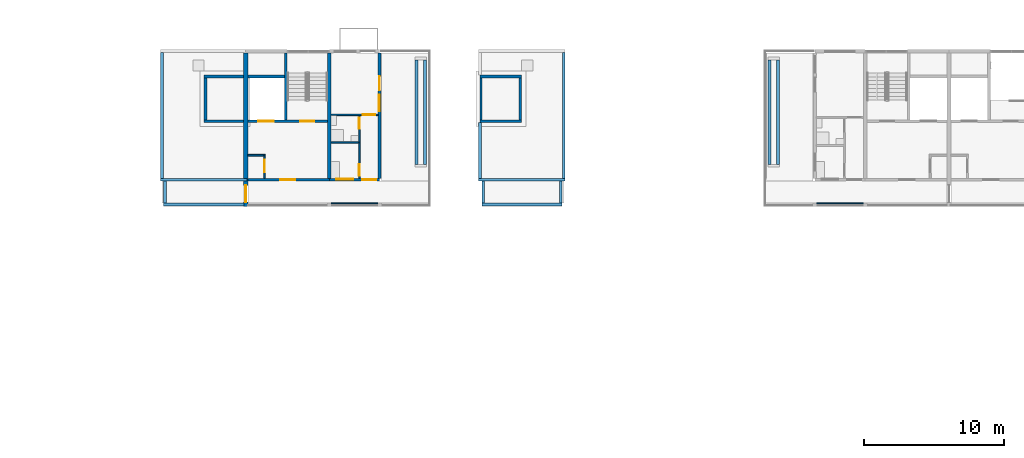
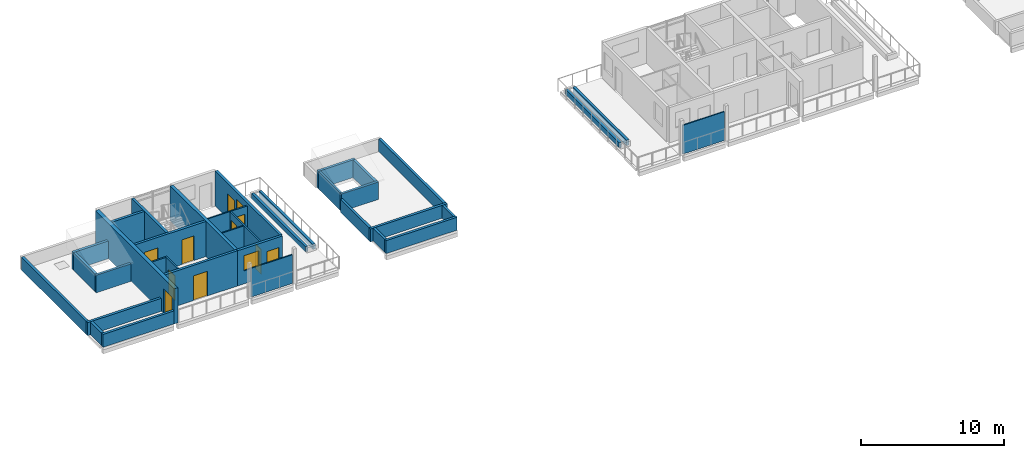
# One storey, part 41 of 87: 36 walls, 10 doors, 2 windows, 12 openings.
"""IFC4 building model written with IfcOpenShell, lengths in metres."""

from ifc_helpers import new_model, si_unit, direction, frame, frame_2d, origin, place, context, subcontext, project, spatial, rectangle, extrude, material, layer, layer_set, type_object, element, fill, save


model = new_model("IFC4")

# Units and contexts
model_context = context("Model", 3, precision=1e-05, world=origin(), true_north=direction((0.0, 1.0)))
body_context = subcontext(model_context, "Body", "Model", "MODEL_VIEW")
ifc_project = project(units=[si_unit("LENGTHUNIT", "METRE"), si_unit("AREAUNIT", "SQUARE_METRE"), si_unit("VOLUMEUNIT", "CUBIC_METRE"), si_unit("PLANEANGLEUNIT", "RADIAN"), si_unit("MASSUNIT", "GRAM", prefix="KILO")], contexts=[model_context])

# Site, building, storey
site_placement = place(None, origin())
site = spatial("IfcSite", under=ifc_project, at=site_placement, CompositionType="ELEMENT")
building_placement = place(site_placement, origin())
building = spatial("IfcBuilding", under=site, at=building_placement, Name="Ridgestep Commons", CompositionType="ELEMENT")
storey_placement = place(building_placement, frame((0.0, 0.0, 27.0)))
storey = spatial("IfcBuildingStorey", under=building, at=storey_placement, Name="L09", CompositionType="ELEMENT", Elevation=27.0)

# Wall
ifc_material_1 = material(Name="Concrete C30/37", Category="concrete")
ifc_layer_1 = layer(ifc_material_1, 0.25)
ifc_layer_set_1 = layer_set([ifc_layer_1], Name="Core cross wall 250")
wall_type_1 = type_object("IfcWallType", Name="Core cross wall 250", PredefinedType="SHEAR", material=ifc_layer_set_1)
wall_1_placement = place(storey_placement, frame((34.800048828125, 68.0, 0.0), z_axis=(0.0, 0.0, 1.0), x_axis=(0.0, 1.0, 0.0)))
element("IfcWall", 1, at=wall_1_placement, inside=storey, type_object=wall_type_1, Name="Cross wall B-09-0348", PredefinedType="SHEAR", context=body_context, shape_type="SweptSolid", body=[
    extrude(rectangle(XDim=9.0, YDim=0.25, at=frame_2d((4.5, 0.0))), origin(), (0.0, 0.0, 1.0), 3.0),
])

# Wall, opening, door
ifc_material_2 = material(Name="Concrete C30/37", Category="concrete")
ifc_layer_2 = layer(ifc_material_2, 0.199951171875)
ifc_layer_set_2 = layer_set([ifc_layer_2], Name="Core south wall 200")
wall_type_2 = type_object("IfcWallType", Name="Core south wall 200", PredefinedType="SHEAR", material=ifc_layer_set_2)
wall_2_placement = place(storey_placement, frame((28.949951171875, 67.89990234375, 0.0), z_axis=(0.0, 0.0, 1.0), x_axis=(1.0, 0.0, 0.0)))
wall_2 = element("IfcWall", 2, at=wall_2_placement, inside=storey, type_object=wall_type_2, Name="Core south wall B2C L09", PredefinedType="SHEAR", context=body_context, shape_type="SweptSolid", body=[
    extrude(rectangle(XDim=5.85009765625, YDim=0.199951171875, at=frame_2d((2.925048828125, 0.0))), origin(), (0.0, 0.0, 1.0), 3.0),
])
opening_1_placement = place(wall_2_placement, frame((2.3125, 0.0, 0.0)))
opening_1 = element("IfcOpeningElement", 3, at=opening_1_placement, cuts=wall_2, Name="Opening B2C/09/1", PredefinedType="OPENING", context=body_context, shape_type="SweptSolid", body=[
    extrude(rectangle(XDim=1.10009765625, YDim=2.10009765625, at=frame_2d((0.550048828125, 1.050048828125))), frame((0.0, 0.10986328125, 0.0), z_axis=(0.0, -1.0, 0.0), x_axis=(1.0, 0.0, 0.0)), (0.0, 0.0, 1.0), 0.219970703125),
])
ifc_material_3 = material(Name="Steel fire door", Category="steel")
door_type_1 = type_object("IfcDoorType", Name="Lobby door 1100 x 2100 FD60", OperationType="NOTDEFINED", PredefinedType="DOOR", material=ifc_material_3)
door_1_placement = place(opening_1_placement, origin())
door_1 = element("IfcDoor", 4, at=door_1_placement, inside=storey, type_object=door_type_1, Name="Lobby door B2C/09/1", OperationType="SINGLE_SWING_LEFT", OverallHeight=2.10009765625, OverallWidth=1.10009765625, PredefinedType="DOOR", context=body_context, shape_type="SweptSolid", body=[
    extrude(rectangle(XDim=1.10009765625, YDim=2.10009765625, at=frame_2d((0.550048828125, 1.050048828125))), frame((0.0, 0.02490234375, 0.0), z_axis=(0.0, -1.0, 0.0), x_axis=(1.0, 0.0, 0.0)), (0.0, 0.0, 1.0), 0.050048828125),
])
fill(opening_1, door_1)

ifc_material_4 = material(Name="Concrete C30/37", Category="concrete")
ifc_layer_3 = layer(ifc_material_4, 0.1201171875)
ifc_layer_set_3 = layer_set([ifc_layer_3], Name="Core wall 120")
wall_type_3 = type_object("IfcWallType", Name="Core wall 120", PredefinedType="SHEAR", material=ifc_layer_set_3)
wall_3_placement = place(storey_placement, frame((30.139892578125, 68.0, 0.0), z_axis=(0.0, 0.0, 1.0), x_axis=(0.0, 1.0, 0.0)))
wall_3 = element("IfcWall", 5, at=wall_3_placement, inside=storey, type_object=wall_type_3, Name="Core riser w wall B2C L09", PredefinedType="SHEAR", context=body_context, shape_type="SweptSolid", body=[
    extrude(rectangle(XDim=1.719970703125, YDim=0.1201171875, at=frame_2d((0.85986328125, 0.0))), origin(), (0.0, 0.0, 1.0), 3.0),
])
opening_2_placement = place(wall_3_placement, frame((0.449951171875, 0.0, 0.0)))
opening_2 = element("IfcOpeningElement", 6, at=opening_2_placement, cuts=wall_3, Name="Opening B2C/09/4", PredefinedType="OPENING", context=body_context, shape_type="SweptSolid", body=[
    extrude(rectangle(XDim=0.89990234375, YDim=2.10009765625, at=frame_2d((0.449951171875, 1.050048828125))), frame((0.0, 0.070068359375, 0.0), z_axis=(0.0, -1.0, 0.0), x_axis=(1.0, 0.0, 0.0)), (0.0, 0.0, 1.0), 0.14013671875),
])
ifc_material_5 = material(Name="Steel fire door", Category="steel")
door_type_2 = type_object("IfcDoorType", Name="Riser door 900 x 2100 FD60", OperationType="NOTDEFINED", PredefinedType="DOOR", material=ifc_material_5)
door_2_placement = place(opening_2_placement, origin())
door_2 = element("IfcDoor", 7, at=door_2_placement, inside=storey, type_object=door_type_2, Name="Riser door B2C/09/4", OperationType="SINGLE_SWING_RIGHT", OverallHeight=2.10009765625, OverallWidth=0.89990234375, PredefinedType="DOOR", context=body_context, shape_type="SweptSolid", body=[
    extrude(rectangle(XDim=0.89990234375, YDim=2.10009765625, at=frame_2d((0.449951171875, 1.050048828125))), frame((0.0, 0.02490234375, 0.0), z_axis=(0.0, -1.0, 0.0), x_axis=(1.0, 0.0, 0.0)), (0.0, 0.0, 1.0), 0.050048828125),
])
fill(opening_2, door_2)

# Wall
wall_4_placement = place(storey_placement, frame((28.949951171875, 69.659912109375, 0.0), z_axis=(0.0, 0.0, 1.0), x_axis=(1.0, 0.0, 0.0)))
element("IfcWall", 8, at=wall_4_placement, inside=storey, type_object=wall_type_3, Name="Core riser n wall B2C L09", PredefinedType="SHEAR", context=body_context, shape_type="SweptSolid", body=[
    extrude(rectangle(XDim=1.130126953125, YDim=0.1201171875, at=frame_2d((0.56494140625, 0.0))), origin(), (0.0, 0.0, 1.0), 3.0),
])

# Wall, openings, doors
ifc_material_6 = material(Name="Concrete C30/37", Category="concrete")
ifc_layer_4 = layer(ifc_material_6, 0.199951171875)
ifc_layer_set_4 = layer_set([ifc_layer_4], Name="Core wall 200")
wall_type_4 = type_object("IfcWallType", Name="Core wall 200", PredefinedType="SHEAR", material=ifc_layer_set_4)
wall_5_placement = place(storey_placement, frame((28.949951171875, 72.10009765625, 0.0), z_axis=(0.0, 0.0, 1.0), x_axis=(1.0, 0.0, 0.0)))
wall_5 = element("IfcWall", 9, at=wall_5_placement, inside=storey, type_object=wall_type_4, Name="Core lobby wall B2C L09", PredefinedType="SHEAR", context=body_context, shape_type="SweptSolid", body=[
    extrude(rectangle(XDim=5.72509765625, YDim=0.199951171875, at=frame_2d((2.862548828125, 0.0))), origin(), (0.0, 0.0, 1.0), 3.0),
])
opening_3_placement = place(wall_5_placement, frame((3.77490234375, 0.0, 0.0)))
opening_3 = element("IfcOpeningElement", 10, at=opening_3_placement, cuts=wall_5, Name="Opening B2C/09/2", PredefinedType="OPENING", context=body_context, shape_type="SweptSolid", body=[
    extrude(rectangle(XDim=1.0, YDim=2.10009765625, at=frame_2d((0.5, 1.050048828125))), frame((0.0, 0.10986328125, 0.0), z_axis=(0.0, -1.0, 0.0), x_axis=(1.0, 0.0, 0.0)), (0.0, 0.0, 1.0), 0.219970703125),
])
opening_4_placement = place(wall_5_placement, frame((0.762451171875, 0.0, 0.0)))
opening_4 = element("IfcOpeningElement", 11, at=opening_4_placement, cuts=wall_5, Name="Opening B2C/09/3", PredefinedType="OPENING", context=body_context, shape_type="SweptSolid", body=[
    extrude(rectangle(XDim=1.10009765625, YDim=2.10009765625, at=frame_2d((0.550048828125, 1.050048828125))), frame((0.0, 0.10986328125, 0.0), z_axis=(0.0, -1.0, 0.0), x_axis=(1.0, 0.0, 0.0)), (0.0, 0.0, 1.0), 0.219970703125),
])
ifc_material_7 = material(Name="Stainless steel", Category="steel")
door_type_3 = type_object("IfcDoorType", Name="Lift landing door 1100 x 2100 FD60", OperationType="DOUBLE_DOOR_SLIDING", PredefinedType="DOOR", material=ifc_material_7)
door_3_placement = place(opening_4_placement, origin())
door_3 = element("IfcDoor", 12, at=door_3_placement, inside=storey, type_object=door_type_3, Name="Landing door LD B2C L09", OperationType="DOUBLE_DOOR_SLIDING", OverallHeight=2.10009765625, OverallWidth=1.10009765625, PredefinedType="DOOR", context=body_context, shape_type="SweptSolid", body=[
    extrude(rectangle(XDim=1.10009765625, YDim=2.10009765625, at=frame_2d((0.550048828125, 1.050048828125))), frame((0.0, 0.02490234375, 0.0), z_axis=(0.0, -1.0, 0.0), x_axis=(1.0, 0.0, 0.0)), (0.0, 0.0, 1.0), 0.050048828125),
])
fill(opening_4, door_3)
ifc_material_8 = material(Name="Steel fire door", Category="steel")
door_type_4 = type_object("IfcDoorType", Name="Stair door 1000 x 2100 FD60", OperationType="NOTDEFINED", PredefinedType="DOOR", material=ifc_material_8)
door_4_placement = place(opening_3_placement, origin())
door_4 = element("IfcDoor", 13, at=door_4_placement, inside=storey, type_object=door_type_4, Name="Stair door B2C/09/2", OperationType="SINGLE_SWING_RIGHT", OverallHeight=2.10009765625, OverallWidth=1.0, PredefinedType="DOOR", context=body_context, shape_type="SweptSolid", body=[
    extrude(rectangle(XDim=1.0, YDim=2.10009765625, at=frame_2d((0.5, 1.050048828125))), frame((0.0, 0.02490234375, 0.0), z_axis=(0.0, -1.0, 0.0), x_axis=(1.0, 0.0, 0.0)), (0.0, 0.0, 1.0), 0.050048828125),
])
fill(opening_3, door_4)

# Walls
wall_6_placement = place(storey_placement, frame((31.675048828125, 72.199951171875, 0.0), z_axis=(0.0, 0.0, 1.0), x_axis=(0.0, 1.0, 0.0)))
element("IfcWall", 14, at=wall_6_placement, inside=storey, type_object=wall_type_4, Name="Core stair wall B2C L09", PredefinedType="SHEAR", context=body_context, shape_type="SweptSolid", body=[
    extrude(rectangle(XDim=4.800048828125, YDim=0.199951171875, at=frame_2d((2.39990234375, 0.0))), origin(), (0.0, 0.0, 1.0), 3.0),
])
wall_7_placement = place(storey_placement, frame((28.949951171875, 75.300048828125, 0.0), z_axis=(0.0, 0.0, 1.0), x_axis=(1.0, 0.0, 0.0)))
element("IfcWall", 15, at=wall_7_placement, inside=storey, type_object=wall_type_4, Name="Core duct wall B2C L09", PredefinedType="SHEAR", context=body_context, shape_type="SweptSolid", body=[
    extrude(rectangle(XDim=2.625, YDim=0.199951171875, at=frame_2d((1.3125, 0.0))), origin(), (0.0, 0.0, 1.0), 3.0),
])

# Wall, openings, window, door
ifc_material_9 = material(Name="Precast concrete C40/50", Category="concrete")
ifc_layer_5 = layer(ifc_material_9, 0.199951171875)
ifc_layer_set_5 = layer_set([ifc_layer_5], Name="Exposed cross wall 200")
wall_type_5 = type_object("IfcWallType", Name="Exposed cross wall 200", PredefinedType="SHEAR", material=ifc_layer_set_5)
wall_8_placement = place(storey_placement, frame((38.39990234375, 68.0, 0.0), z_axis=(0.0, 0.0, 1.0), x_axis=(0.0, 1.0, 0.0)))
wall_8 = element("IfcWall", 16, at=wall_8_placement, inside=storey, type_object=wall_type_5, Name="Cross wall B-09-0384", PredefinedType="SHEAR", context=body_context, shape_type="SweptSolid", body=[
    extrude(rectangle(XDim=9.0, YDim=0.199951171875, at=frame_2d((4.5, 0.0))), origin(), (0.0, 0.0, 1.0), 3.0),
])
opening_5_placement = place(wall_8_placement, frame((4.8076171875, 0.0, 0.89990234375)))
opening_5 = element("IfcOpeningElement", 17, at=opening_5_placement, cuts=wall_8, Name="Opening W10", PredefinedType="OPENING", context=body_context, shape_type="SweptSolid", body=[
    extrude(rectangle(XDim=1.199951171875, YDim=1.5, at=frame_2d((0.60009765625, 0.75))), frame((0.0, 0.10986328125, 0.0), z_axis=(0.0, -1.0, 0.0), x_axis=(1.0, 0.0, 0.0)), (0.0, 0.0, 1.0), 0.219970703125),
])
opening_6_placement = place(wall_8_placement, frame((6.304931640625, 0.0, 0.0)))
opening_6 = element("IfcOpeningElement", 18, at=opening_6_placement, cuts=wall_8, Name="Opening B2-09a/5", PredefinedType="OPENING", context=body_context, shape_type="SweptSolid", body=[
    extrude(rectangle(XDim=1.0, YDim=2.10009765625, at=frame_2d((0.5, 1.050048828125))), frame((0.0, 0.10986328125, 0.0), z_axis=(0.0, -1.0, 0.0), x_axis=(1.0, 0.0, 0.0)), (0.0, 0.0, 1.0), 0.219970703125),
])
ifc_material_10 = material(Name="Aluminium 6063-T6 and glass", Category="aluminium")
window_type_1 = type_object("IfcWindowType", Name="Flat window 1200 x 1500", PartitioningType="SINGLE_PANEL", PredefinedType="WINDOW", material=ifc_material_10)
window_1_placement = place(opening_5_placement, origin())
window_1 = element("IfcWindow", 19, at=window_1_placement, inside=storey, type_object=window_type_1, Name="Window B2-09a 3", OverallHeight=1.5, OverallWidth=1.199951171875, PartitioningType="SINGLE_PANEL", PredefinedType="WINDOW", context=body_context, shape_type="SweptSolid", body=[
    extrude(rectangle(XDim=1.199951171875, YDim=1.5, at=frame_2d((0.60009765625, 0.75))), frame((0.0, 0.06005859375, 0.0), z_axis=(0.0, -1.0, 0.0), x_axis=(1.0, 0.0, 0.0)), (0.0, 0.0, 1.0), 0.06005859375),
])
fill(opening_5, window_1)
ifc_material_11 = material(Name="Aluminium and glass", Category="aluminium")
door_type_5 = type_object("IfcDoorType", Name="Terrace door 1000 x 2100", OperationType="NOTDEFINED", PredefinedType="DOOR", material=ifc_material_11)
door_5_placement = place(opening_6_placement, origin())
door_5 = element("IfcDoor", 20, at=door_5_placement, inside=storey, type_object=door_type_5, Name="Terrace door B2-09a/5", OperationType="SINGLE_SWING_LEFT", OverallHeight=2.10009765625, OverallWidth=1.0, PredefinedType="DOOR", context=body_context, shape_type="SweptSolid", body=[
    extrude(rectangle(XDim=1.0, YDim=2.10009765625, at=frame_2d((0.5, 1.050048828125))), frame((0.0, 0.02490234375, 0.0), z_axis=(0.0, -1.0, 0.0), x_axis=(1.0, 0.0, 0.0)), (0.0, 0.0, 1.0), 0.050048828125),
])
fill(opening_6, door_5)

# Wall, opening, door
ifc_material_12 = material(Name="Precast concrete C40/50", Category="concrete")
ifc_layer_6 = layer(ifc_material_12, 0.300048828125)
ifc_layer_set_6 = layer_set([ifc_layer_6], Name="Exposed division wall 300")
wall_type_6 = type_object("IfcWallType", Name="Exposed division wall 300", PredefinedType="SHEAR", material=ifc_layer_set_6)
wall_9_placement = place(storey_placement, frame((28.800048828125, 66.0, 0.0), z_axis=(0.0, 0.0, 1.0), x_axis=(0.0, 1.0, 0.0)))
wall_9 = element("IfcWall", 21, at=wall_9_placement, inside=storey, type_object=wall_type_6, Name="Cross wall B-09-0288", PredefinedType="SHEAR", context=body_context, shape_type="SweptSolid", body=[
    extrude(rectangle(XDim=11.0, YDim=0.300048828125, at=frame_2d((5.5, 0.0))), origin(), (0.0, 0.0, 1.0), 3.0),
])
opening_7_placement = place(wall_9_placement, frame((0.300048828125, 0.0, 0.0)))
opening_7 = element("IfcOpeningElement", 22, at=opening_7_placement, cuts=wall_9, Name="Opening B/09/G0288", PredefinedType="OPENING", context=body_context, shape_type="SweptSolid", body=[
    extrude(rectangle(XDim=1.199951171875, YDim=2.10009765625, at=frame_2d((0.60009765625, 1.050048828125))), frame((0.0, 0.159912109375, 0.0), z_axis=(0.0, -1.0, 0.0), x_axis=(1.0, 0.0, 0.0)), (0.0, 0.0, 1.0), 0.320068359375),
])
ifc_material_13 = material(Name="Steel fire door", Category="steel")
door_type_6 = type_object("IfcDoorType", Name="Division fire door 1200 x 2100 EI 240", OperationType="DOUBLE_DOOR_SINGLE_SWING", PredefinedType="DOOR", material=ifc_material_13)
door_6_placement = place(opening_7_placement, origin())
door_6 = element("IfcDoor", 23, at=door_6_placement, inside=storey, type_object=door_type_6, Name="Division fire door B/09/G0288", OperationType="DOUBLE_DOOR_SINGLE_SWING", OverallHeight=2.10009765625, OverallWidth=1.199951171875, PredefinedType="DOOR", context=body_context, shape_type="SweptSolid", body=[
    extrude(rectangle(XDim=1.199951171875, YDim=2.10009765625, at=frame_2d((0.60009765625, 1.050048828125))), frame((0.0, 0.02490234375, 0.0), z_axis=(0.0, -1.0, 0.0), x_axis=(1.0, 0.0, 0.0)), (0.0, 0.0, 1.0), 0.050048828125),
])
fill(opening_7, door_6)

# Walls
ifc_material_14 = material(Name="Concrete C30/37", Category="concrete")
ifc_layer_7 = layer(ifc_material_14, 0.14990234375)
ifc_layer_set_7 = layer_set([ifc_layer_7], Name="Lift overrun wall 150")
wall_type_7 = type_object("IfcWallType", Name="Lift overrun wall 150", PredefinedType="SHEAR", material=ifc_layer_set_7)
wall_10_placement = place(storey_placement, frame((45.675048828125, 72.199951171875, 0.0), z_axis=(0.0, 0.0, 1.0), x_axis=(0.0, 1.0, 0.0)))
element("IfcWall", 24, at=wall_10_placement, inside=storey, type_object=wall_type_7, Name="Lift overrun wall B3C", PredefinedType="SHEAR", context=body_context, shape_type="SweptSolid", body=[
    extrude(rectangle(XDim=3.0, YDim=0.14990234375, at=frame_2d((1.5, 0.0))), origin(), (0.0, 0.0, 1.0), 1.5),
])
ifc_material_15 = material(Name="Concrete C30/37", Category="concrete")
ifc_layer_8 = layer(ifc_material_15, 0.199951171875)
ifc_layer_set_8 = layer_set([ifc_layer_8], Name="Lift overrun wall 200")
wall_type_8 = type_object("IfcWallType", Name="Lift overrun wall 200", PredefinedType="SHEAR", material=ifc_layer_set_8)
for number, where, z_axis, x_axis, name in (
    (25, (25.824951171875, 72.10009765625, 0.0), (0.0, 0.0, 1.0), (1.0, 0.0, 0.0), "Lift overrun wall B1C"),
    (26, (25.824951171875, 75.300048828125, 0.0), (0.0, 0.0, 1.0), (1.0, 0.0, 0.0), "Lift overrun wall B1C"),
):
    element("IfcWall", number, at=place(storey_placement, frame(where, z_axis=z_axis, x_axis=x_axis)), inside=storey, type_object=wall_type_8, Name=name, PredefinedType="SHEAR", context=body_context, shape_type="SweptSolid", body=[
        extrude(rectangle(XDim=2.824951171875, YDim=0.199951171875, at=frame_2d((1.41259765625, 0.0))), origin(), (0.0, 0.0, 1.0), 1.5),
    ])
wall_11_placement = place(storey_placement, frame((25.925048828125, 72.199951171875, 0.0), z_axis=(0.0, 0.0, 1.0), x_axis=(0.0, 1.0, 0.0)))
element("IfcWall", 27, at=wall_11_placement, inside=storey, type_object=wall_type_8, Name="Lift overrun wall B1C", PredefinedType="SHEAR", context=body_context, shape_type="SweptSolid", body=[
    extrude(rectangle(XDim=3.0, YDim=0.199951171875, at=frame_2d((1.5, 0.0))), origin(), (0.0, 0.0, 1.0), 1.5),
])
for number, where, z_axis, x_axis, name in (
    (28, (45.60009765625, 72.10009765625, 0.0), (0.0, 0.0, 1.0), (1.0, 0.0, 0.0), "Lift overrun wall B3C"),
    (29, (45.60009765625, 75.300048828125, 0.0), (0.0, 0.0, 1.0), (1.0, 0.0, 0.0), "Lift overrun wall B3C"),
):
    element("IfcWall", number, at=place(storey_placement, frame(where, z_axis=z_axis, x_axis=x_axis)), inside=storey, type_object=wall_type_8, Name=name, PredefinedType="SHEAR", context=body_context, shape_type="SweptSolid", body=[
        extrude(rectangle(XDim=2.974853515625, YDim=0.199951171875, at=frame_2d((1.4873046875, 0.0))), origin(), (0.0, 0.0, 1.0), 1.5),
    ])
wall_12_placement = place(storey_placement, frame((48.47509765625, 72.199951171875, 0.0), z_axis=(0.0, 0.0, 1.0), x_axis=(0.0, 1.0, 0.0)))
element("IfcWall", 30, at=wall_12_placement, inside=storey, type_object=wall_type_8, Name="Lift overrun wall B3C", PredefinedType="SHEAR", context=body_context, shape_type="SweptSolid", body=[
    extrude(rectangle(XDim=3.0, YDim=0.199951171875, at=frame_2d((1.5, 0.0))), origin(), (0.0, 0.0, 1.0), 1.5),
])
ifc_material_16 = material(Name="Precast concrete C40/50", Category="concrete")
ifc_layer_9 = layer(ifc_material_16, 0.199951171875)
ifc_layer_set_9 = layer_set([ifc_layer_9], Name="Parapet wall 200")
wall_type_9 = type_object("IfcWallType", Name="Parapet wall 200", PredefinedType="PARAPET", material=ifc_layer_set_9)
wall_13_placement = place(storey_placement, frame((22.699951171875, 67.89990234375, 0.0), z_axis=(0.0, 0.0, 1.0), x_axis=(1.0, 0.0, 0.0)))
element("IfcWall", 31, at=wall_13_placement, inside=storey, type_object=wall_type_9, Name="Parapet B1C south", PredefinedType="PARAPET", context=body_context, shape_type="SweptSolid", body=[
    extrude(rectangle(XDim=6.199951171875, YDim=0.199951171875, at=frame_2d((3.10009765625, 0.0))), origin(), (0.0, 0.0, 1.0), 1.10009765625),
])
wall_14_placement = place(storey_placement, frame((22.800048828125, 68.0, 0.0), z_axis=(0.0, 0.0, 1.0), x_axis=(0.0, 1.0, 0.0)))
element("IfcWall", 32, at=wall_14_placement, inside=storey, type_object=wall_type_9, Name="Parapet B1C west", PredefinedType="PARAPET", context=body_context, shape_type="SweptSolid", body=[
    extrude(rectangle(XDim=9.02490234375, YDim=0.199951171875, at=frame_2d((4.512451171875, 0.0))), origin(), (0.0, 0.0, 1.0), 1.10009765625),
])
wall_15_placement = place(storey_placement, frame((22.925048828125, 66.125, 0.0), z_axis=(0.0, 0.0, 1.0), x_axis=(1.0, 0.0, 0.0)))
element("IfcWall", 33, at=wall_15_placement, inside=storey, type_object=wall_type_9, Name="Parapet B1C gallery south", PredefinedType="PARAPET", context=body_context, shape_type="SweptSolid", body=[
    extrude(rectangle(XDim=5.75, YDim=0.199951171875, at=frame_2d((2.875, 0.0))), origin(), (0.0, 0.0, 1.0), 1.10009765625),
])
wall_16_placement = place(storey_placement, frame((23.02490234375, 66.22509765625, 0.0), z_axis=(0.0, 0.0, 1.0), x_axis=(0.0, 1.0, 0.0)))
element("IfcWall", 34, at=wall_16_placement, inside=storey, type_object=wall_type_9, Name="Parapet B1C gallery west", PredefinedType="PARAPET", context=body_context, shape_type="SweptSolid", body=[
    extrude(rectangle(XDim=1.574951171875, YDim=0.199951171875, at=frame_2d((0.78759765625, 0.0))), origin(), (0.0, 0.0, 1.0), 1.10009765625),
])
wall_17_placement = place(storey_placement, frame((45.5, 67.89990234375, 0.0), z_axis=(0.0, 0.0, 1.0), x_axis=(1.0, 0.0, 0.0)))
element("IfcWall", 35, at=wall_17_placement, inside=storey, type_object=wall_type_9, Name="Parapet B3C south", PredefinedType="PARAPET", context=body_context, shape_type="SweptSolid", body=[
    extrude(rectangle(XDim=6.199951171875, YDim=0.199951171875, at=frame_2d((3.10009765625, 0.0))), origin(), (0.0, 0.0, 1.0), 1.10009765625),
])
wall_18_placement = place(storey_placement, frame((45.60009765625, 68.0, 0.0), z_axis=(0.0, 0.0, 1.0), x_axis=(0.0, 1.0, 0.0)))
element("IfcWall", 36, at=wall_18_placement, inside=storey, type_object=wall_type_9, Name="Parapet B3C west", PredefinedType="PARAPET", context=body_context, shape_type="SweptSolid", body=[
    extrude(rectangle(XDim=4.0, YDim=0.199951171875, at=frame_2d((2.0, 0.0))), origin(), (0.0, 0.0, 1.0), 1.10009765625),
])
wall_19_placement = place(storey_placement, frame((51.60009765625, 68.0, 0.0), z_axis=(0.0, 0.0, 1.0), x_axis=(0.0, 1.0, 0.0)))
element("IfcWall", 37, at=wall_19_placement, inside=storey, type_object=wall_type_9, Name="Parapet B3C east", PredefinedType="PARAPET", context=body_context, shape_type="SweptSolid", body=[
    extrude(rectangle(XDim=9.02490234375, YDim=0.199951171875, at=frame_2d((4.512451171875, 0.0))), origin(), (0.0, 0.0, 1.0), 1.10009765625),
])
wall_20_placement = place(storey_placement, frame((45.72509765625, 66.125, 0.0), z_axis=(0.0, 0.0, 1.0), x_axis=(1.0, 0.0, 0.0)))
element("IfcWall", 38, at=wall_20_placement, inside=storey, type_object=wall_type_9, Name="Parapet B3C gallery south", PredefinedType="PARAPET", context=body_context, shape_type="SweptSolid", body=[
    extrude(rectangle(XDim=5.75, YDim=0.199951171875, at=frame_2d((2.875, 0.0))), origin(), (0.0, 0.0, 1.0), 1.10009765625),
])
for number, where, z_axis, x_axis, name in (
    (39, (45.824951171875, 66.22509765625, 0.0), (0.0, 0.0, 1.0), (0.0, 1.0, 0.0), "Parapet B3C gallery west"),
    (40, (51.375, 66.22509765625, 0.0), (0.0, 0.0, 1.0), (0.0, 1.0, 0.0), "Parapet B3C gallery east"),
):
    element("IfcWall", number, at=place(storey_placement, frame(where, z_axis=z_axis, x_axis=x_axis)), inside=storey, type_object=wall_type_9, Name=name, PredefinedType="PARAPET", context=body_context, shape_type="SweptSolid", body=[
        extrude(rectangle(XDim=1.574951171875, YDim=0.199951171875, at=frame_2d((0.78759765625, 0.0))), origin(), (0.0, 0.0, 1.0), 1.10009765625),
    ])
ifc_material_17 = material(Name="Common brick 110 mm", Category="masonry")
ifc_layer_10 = layer(ifc_material_17, 0.110107421875)
ifc_layer_set_10 = layer_set([ifc_layer_10], Name="Partition 110")
wall_type_10 = type_object("IfcWallType", Name="Partition 110", PredefinedType="PARTITIONING", material=ifc_layer_set_10)
wall_21_placement = place(storey_placement, frame((34.925048828125, 70.554931640625, 0.0), z_axis=(0.0, 0.0, 1.0), x_axis=(1.0, 0.0, 0.0)))
element("IfcWall", 41, at=wall_21_placement, inside=storey, type_object=wall_type_10, Name="Partition B2-09a", PredefinedType="PARTITIONING", context=body_context, shape_type="SweptSolid", body=[
    extrude(rectangle(XDim=1.96484375, YDim=0.110107421875, at=frame_2d((0.982421875, 0.0))), origin(), (0.0, 0.0, 1.0), 2.75),
])

# Wall, openings, doors
wall_22_placement = place(storey_placement, frame((36.945068359375, 68.0, 0.0), z_axis=(0.0, 0.0, 1.0), x_axis=(0.0, 1.0, 0.0)))
wall_22 = element("IfcWall", 42, at=wall_22_placement, inside=storey, type_object=wall_type_10, Name="Partition B2-09a", PredefinedType="PARTITIONING", context=body_context, shape_type="SweptSolid", body=[
    extrude(rectangle(XDim=4.5, YDim=0.110107421875, at=frame_2d((2.25, 0.0))), origin(), (0.0, 0.0, 1.0), 2.75),
])
opening_8_placement = place(wall_22_placement, frame((0.199951171875, 0.0, 0.0)))
opening_8 = element("IfcOpeningElement", 43, at=opening_8_placement, cuts=wall_22, Name="Opening B2-09a/2", PredefinedType="OPENING", context=body_context, shape_type="SweptSolid", body=[
    extrude(rectangle(XDim=0.800048828125, YDim=2.10009765625, at=frame_2d((0.39990234375, 1.050048828125))), frame((0.0, 0.06494140625, 0.0), z_axis=(0.0, -1.0, 0.0), x_axis=(1.0, 0.0, 0.0)), (0.0, 0.0, 1.0), 0.130126953125),
])
opening_9_placement = place(wall_22_placement, frame((3.550048828125, 0.0, 0.0)))
opening_9 = element("IfcOpeningElement", 44, at=opening_9_placement, cuts=wall_22, Name="Opening B2-09a/3", PredefinedType="OPENING", context=body_context, shape_type="SweptSolid", body=[
    extrude(rectangle(XDim=0.800048828125, YDim=2.10009765625, at=frame_2d((0.39990234375, 1.050048828125))), frame((0.0, 0.06494140625, 0.0), z_axis=(0.0, -1.0, 0.0), x_axis=(1.0, 0.0, 0.0)), (0.0, 0.0, 1.0), 0.130126953125),
])
ifc_material_18 = material(Name="Timber door leaf", Category="wood")
door_type_7 = type_object("IfcDoorType", Name="Internal door 800 x 2100", OperationType="NOTDEFINED", PredefinedType="DOOR", material=ifc_material_18)
door_7_placement = place(opening_8_placement, origin())
door_7 = element("IfcDoor", 45, at=door_7_placement, inside=storey, type_object=door_type_7, Name="Internal door B2-09a/2", OperationType="SINGLE_SWING_LEFT", OverallHeight=2.10009765625, OverallWidth=0.800048828125, PredefinedType="DOOR", context=body_context, shape_type="SweptSolid", body=[
    extrude(rectangle(XDim=0.800048828125, YDim=2.10009765625, at=frame_2d((0.39990234375, 1.050048828125))), frame((0.0, 0.02490234375, 0.0), z_axis=(0.0, -1.0, 0.0), x_axis=(1.0, 0.0, 0.0)), (0.0, 0.0, 1.0), 0.050048828125),
])
fill(opening_8, door_7)
door_8_placement = place(opening_9_placement, origin())
door_8 = element("IfcDoor", 46, at=door_8_placement, inside=storey, type_object=door_type_7, Name="Internal door B2-09a/3", OperationType="SINGLE_SWING_RIGHT", OverallHeight=2.10009765625, OverallWidth=0.800048828125, PredefinedType="DOOR", context=body_context, shape_type="SweptSolid", body=[
    extrude(rectangle(XDim=0.800048828125, YDim=2.10009765625, at=frame_2d((0.39990234375, 1.050048828125))), frame((0.0, 0.02490234375, 0.0), z_axis=(0.0, -1.0, 0.0), x_axis=(1.0, 0.0, 0.0)), (0.0, 0.0, 1.0), 0.050048828125),
])
fill(opening_9, door_8)

# Wall, opening, door
wall_23_placement = place(storey_placement, frame((34.925048828125, 72.554931640625, 0.0), z_axis=(0.0, 0.0, 1.0), x_axis=(1.0, 0.0, 0.0)))
wall_23 = element("IfcWall", 47, at=wall_23_placement, inside=storey, type_object=wall_type_10, Name="Partition B2-09a", PredefinedType="PARTITIONING", context=body_context, shape_type="SweptSolid", body=[
    extrude(rectangle(XDim=3.375, YDim=0.110107421875, at=frame_2d((1.6875, 0.0))), origin(), (0.0, 0.0, 1.0), 2.75),
])
opening_10_placement = place(wall_23_placement, frame((2.27490234375, 0.0, 0.0)))
opening_10 = element("IfcOpeningElement", 48, at=opening_10_placement, cuts=wall_23, Name="Opening B2-09a/4", PredefinedType="OPENING", context=body_context, shape_type="SweptSolid", body=[
    extrude(rectangle(XDim=0.89990234375, YDim=2.10009765625, at=frame_2d((0.449951171875, 1.050048828125))), frame((0.0, 0.06494140625, 0.0), z_axis=(0.0, -1.0, 0.0), x_axis=(1.0, 0.0, 0.0)), (0.0, 0.0, 1.0), 0.130126953125),
])
ifc_material_19 = material(Name="Timber door leaf", Category="wood")
door_type_8 = type_object("IfcDoorType", Name="Internal door 900 x 2100", OperationType="NOTDEFINED", PredefinedType="DOOR", material=ifc_material_19)
door_9_placement = place(opening_10_placement, origin())
door_9 = element("IfcDoor", 49, at=door_9_placement, inside=storey, type_object=door_type_8, Name="Internal door B2-09a/4", OperationType="SINGLE_SWING_LEFT", OverallHeight=2.10009765625, OverallWidth=0.89990234375, PredefinedType="DOOR", context=body_context, shape_type="SweptSolid", body=[
    extrude(rectangle(XDim=0.89990234375, YDim=2.10009765625, at=frame_2d((0.449951171875, 1.050048828125))), frame((0.0, 0.02490234375, 0.0), z_axis=(0.0, -1.0, 0.0), x_axis=(1.0, 0.0, 0.0)), (0.0, 0.0, 1.0), 0.050048828125),
])
fill(opening_10, door_9)

# Walls
ifc_material_20 = material(Name="Precast concrete C30/37", Category="concrete")
ifc_layer_11 = layer(ifc_material_20, 0.10009765625)
ifc_layer_set_11 = layer_set([ifc_layer_11], Name="Perforated gallery screen 3350 x 2450 x 100")
wall_type_11 = type_object("IfcWallType", Name="Perforated gallery screen 3350 x 2450 x 100", PredefinedType="SOLIDWALL", material=ifc_layer_set_11)
for number, where, z_axis, x_axis, name in (
    (50, (34.925048828125, 66.199951171875, 0.0), (0.0, 0.0, 1.0), (1.0, 0.0, 0.0), "Gallery screen B2T3 09"),
    (51, (69.72509765625, 66.199951171875, 0.0), (0.0, 0.0, 1.0), (1.0, 0.0, 0.0), "Gallery screen B4T3 09"),
):
    element("IfcWall", number, at=place(storey_placement, frame(where, z_axis=z_axis, x_axis=x_axis)), inside=storey, type_object=wall_type_11, Name=name, PredefinedType="SOLIDWALL", context=body_context, shape_type="SweptSolid", body=[
        extrude(rectangle(XDim=3.349853515625, YDim=0.10009765625, at=frame_2d((1.6748046875, 0.0))), origin(), (0.0, 0.0, 1.0), 2.449951171875),
    ])
ifc_material_21 = material(Name="Facing brick", Category="masonry")
ifc_layer_12 = layer(ifc_material_21, 0.199951171875)
ifc_layer_set_12 = layer_set([ifc_layer_12], Name="Planter wall 200")
wall_type_12 = type_object("IfcWallType", Name="Planter wall 200", PredefinedType="SOLIDWALL", material=ifc_layer_set_12)
for number, where, z_axis, x_axis, name in (
    (52, (41.050048828125, 69.0, 0.010009765625), (0.0, 0.0, 1.0), (0.0, 1.0, 0.0), "Planter wall B2R2W"),
    (53, (41.64990234375, 69.0, 0.010009765625), (0.0, 0.0, 1.0), (0.0, 1.0, 0.0), "Planter wall B2R2E"),
    (54, (66.35009765625, 69.0, 0.010009765625), (0.0, 0.0, 1.0), (0.0, 1.0, 0.0), "Planter wall B4R2W"),
    (55, (66.949951171875, 69.0, 0.010009765625), (0.0, 0.0, 1.0), (0.0, 1.0, 0.0), "Planter wall B4R2E"),
):
    element("IfcWall", number, at=place(storey_placement, frame(where, z_axis=z_axis, x_axis=x_axis)), inside=storey, type_object=wall_type_12, Name=name, PredefinedType="SOLIDWALL", context=body_context, shape_type="SweptSolid", body=[
        extrude(rectangle(XDim=7.5, YDim=0.199951171875, at=frame_2d((3.75, 0.0))), origin(), (0.0, 0.0, 1.0), 0.449951171875),
    ])

# Wall, openings, door, window
ifc_material_22 = material(Name="Precast concrete C40/50", Category="concrete")
ifc_layer_13 = layer(ifc_material_22, 0.199951171875)
ifc_layer_set_13 = layer_set([ifc_layer_13], Name="South facade panel 200")
wall_type_13 = type_object("IfcWallType", Name="South facade panel 200", PredefinedType="SOLIDWALL", material=ifc_layer_set_13)
wall_24_placement = place(storey_placement, frame((34.800048828125, 67.89990234375, 0.0), z_axis=(0.0, 0.0, 1.0), x_axis=(1.0, 0.0, 0.0)))
wall_24 = element("IfcWall", 56, at=wall_24_placement, inside=storey, type_object=wall_type_13, Name="South panel B2T3 L09", PredefinedType="SOLIDWALL", context=body_context, shape_type="SweptSolid", body=[
    extrude(rectangle(XDim=3.599853515625, YDim=0.199951171875, at=frame_2d((1.7998046875, 0.0))), origin(), (0.0, 0.0, 1.0), 3.0),
])
opening_11_placement = place(wall_24_placement, frame((0.507568359375, 0.0, 1.10009765625)))
opening_11 = element("IfcOpeningElement", 57, at=opening_11_placement, cuts=wall_24, Name="Opening W08", PredefinedType="OPENING", context=body_context, shape_type="SweptSolid", body=[
    extrude(rectangle(XDim=1.199951171875, YDim=1.300048828125, at=frame_2d((0.60009765625, 0.64990234375))), frame((0.0, 0.10986328125, 0.0), z_axis=(0.0, -1.0, 0.0), x_axis=(1.0, 0.0, 0.0)), (0.0, 0.0, 1.0), 0.219970703125),
])
opening_12_placement = place(wall_24_placement, frame((2.35009765625, 0.0, 0.0)))
opening_12 = element("IfcOpeningElement", 58, at=opening_12_placement, cuts=wall_24, Name="Opening B2-09a/1", PredefinedType="OPENING", context=body_context, shape_type="SweptSolid", body=[
    extrude(rectangle(XDim=1.0, YDim=2.10009765625, at=frame_2d((0.5, 1.050048828125))), frame((0.0, 0.10986328125, 0.0), z_axis=(0.0, -1.0, 0.0), x_axis=(1.0, 0.0, 0.0)), (0.0, 0.0, 1.0), 0.219970703125),
])
ifc_material_23 = material(Name="Timber door leaf", Category="wood")
door_type_9 = type_object("IfcDoorType", Name="Flat entrance door 1000 x 2100 FD30S", OperationType="NOTDEFINED", PredefinedType="DOOR", material=ifc_material_23)
door_10_placement = place(opening_12_placement, origin())
door_10 = element("IfcDoor", 59, at=door_10_placement, inside=storey, type_object=door_type_9, Name="Flat entrance door B2-09a/1", OperationType="SINGLE_SWING_RIGHT", OverallHeight=2.10009765625, OverallWidth=1.0, PredefinedType="DOOR", context=body_context, shape_type="SweptSolid", body=[
    extrude(rectangle(XDim=1.0, YDim=2.10009765625, at=frame_2d((0.5, 1.050048828125))), frame((0.0, 0.02490234375, 0.0), z_axis=(0.0, -1.0, 0.0), x_axis=(1.0, 0.0, 0.0)), (0.0, 0.0, 1.0), 0.050048828125),
])
fill(opening_12, door_10)
ifc_material_24 = material(Name="Aluminium 6063-T6 and glass", Category="aluminium")
window_type_2 = type_object("IfcWindowType", Name="Flat window 1200 x 1300", PartitioningType="SINGLE_PANEL", PredefinedType="WINDOW", material=ifc_material_24)
window_2_placement = place(opening_11_placement, origin())
window_2 = element("IfcWindow", 60, at=window_2_placement, inside=storey, type_object=window_type_2, Name="Window B2-09a 1", OverallHeight=1.300048828125, OverallWidth=1.199951171875, PartitioningType="SINGLE_PANEL", PredefinedType="WINDOW", context=body_context, shape_type="SweptSolid", body=[
    extrude(rectangle(XDim=1.199951171875, YDim=1.300048828125, at=frame_2d((0.60009765625, 0.64990234375))), frame((0.0, 0.06005859375, 0.0), z_axis=(0.0, -1.0, 0.0), x_axis=(1.0, 0.0, 0.0)), (0.0, 0.0, 1.0), 0.06005859375),
])
fill(opening_11, window_2)

save(model, "model.ifc")
